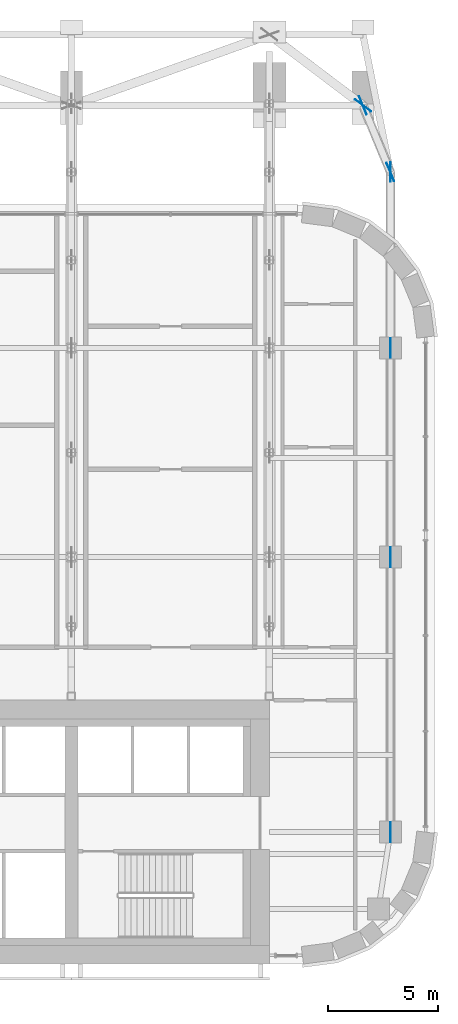
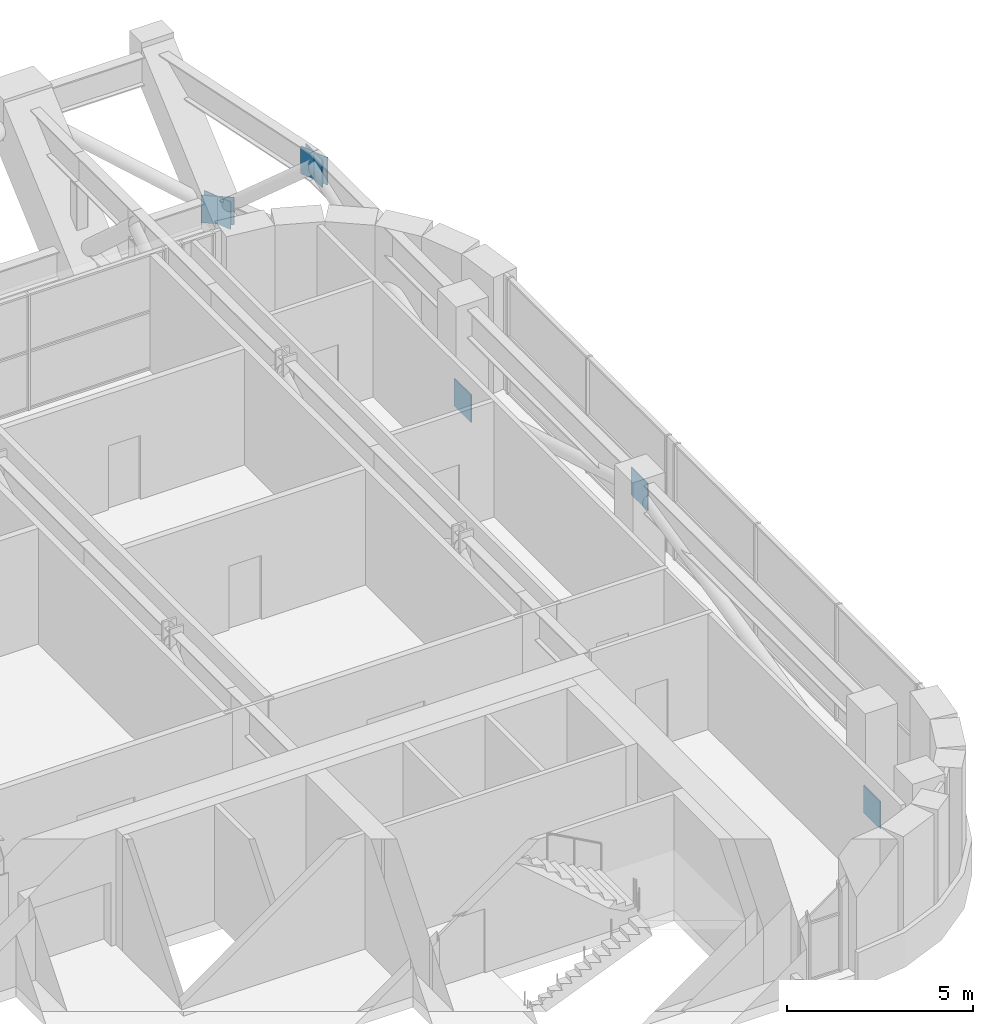
# One storey, part 17 of 23: 7 discrete accessories.
"""IFC4 building model written with IfcOpenShell, lengths in metres."""

import ifcopenshell
import ifcopenshell.guid

model = None  # the IFC model being written
_history = None  # IfcOwnerHistory: only IFC2X3 demands one
_inside = {}  # id of a spatial element -> (the spatial element, [elements in it])
_under = {}  # id of a project, library or spatial element -> (it, [spatial elements below it])
_declared = {}  # id of a project -> (the project, [libraries it declares])
_typed = {}  # id of a type object -> (the type object, [elements of that type])
_made_of = {}  # id of a material, layer set ... -> (it, [elements and type objects made of it])


def new_model(schema):
    """Start an empty IFC model of exactly this schema.

    Asked for "IFC4X3", IfcOpenShell would pick the latest addendum, in which some entities
    have other attributes; the version numbers below select the first issue.
    IFC2X3 requires an IfcOwnerHistory on every rooted entity: one is made here for all.
    """
    global model, _history
    if schema == "IFC4X3":
        model = ifcopenshell.file(schema_version=(4, 3, 0, 0))
    else:
        model = ifcopenshell.file(schema=schema)
    _inside.clear()
    _under.clear()
    _declared.clear()
    _typed.clear()
    _made_of.clear()
    _history = None
    if model.schema == "IFC2X3":
        org = make("IfcOrganization", Name="unknown")
        user = make(
            "IfcPersonAndOrganization",
            ThePerson=make("IfcPerson", FamilyName="unknown"),
            TheOrganization=org,
        )
        app = make(
            "IfcApplication",
            ApplicationDeveloper=org,
            Version="unknown",
            ApplicationFullName="unknown",
            ApplicationIdentifier="unknown",
        )
        _history = make(
            "IfcOwnerHistory",
            OwningUser=user,
            OwningApplication=app,
            ChangeAction="ADDED",
            CreationDate=0,
        )
    return model


def make(cls, **values):
    """One entity of the class cls with the attributes given. An attribute that is None is left unset."""
    return model.create_entity(
        cls, **{name: value for name, value in values.items() if value is not None}
    )


def rooted(cls, **values):
    """An entity with a GlobalId (a new one), such as an element, a storey or a relation."""
    return make(cls, GlobalId=ifcopenshell.guid.new(), OwnerHistory=_history, **values)


def si_unit(unit_type, name, prefix=None):
    """IfcSIUnit, for example si_unit("LENGTHUNIT", "METRE", prefix="MILLI")."""
    return make("IfcSIUnit", UnitType=unit_type, Prefix=prefix, Name=name)


def assignment(units):
    """IfcUnitAssignment: the units of a project."""
    return None if units is None else make("IfcUnitAssignment", Units=units)


def point(xyz):
    """IfcCartesianPoint."""
    return None if xyz is None else make("IfcCartesianPoint", Coordinates=xyz)


def direction(xyz):
    """IfcDirection."""
    return None if xyz is None else make("IfcDirection", DirectionRatios=xyz)


def frame(location, z_axis=None, x_axis=None):
    """IfcAxis2Placement3D, a coordinate frame: its origin and axes. An axis left out is left unset."""
    return make(
        "IfcAxis2Placement3D",
        Location=point(location),
        Axis=direction(z_axis),
        RefDirection=direction(x_axis),
    )


def frame_2d(location, x_axis=None):
    """IfcAxis2Placement2D, a coordinate frame in the plane: its origin and x axis."""
    return make(
        "IfcAxis2Placement2D", Location=point(location), RefDirection=direction(x_axis)
    )


def origin():
    """The frame at (0, 0, 0) with its axes left unset."""
    return frame((0.0, 0.0, 0.0))


def origin_2d():
    """The frame at (0, 0) in the plane with its x axis left unset."""
    return frame_2d((0.0, 0.0))


def place(relative_to, where):
    """IfcLocalPlacement: puts the frame where relative to a parent placement (None: the world)."""
    return make(
        "IfcLocalPlacement", PlacementRelTo=relative_to, RelativePlacement=where
    )


def context(
    kind, dimensions, precision=None, world=None, true_north=None, identifier=None
):
    """IfcGeometricRepresentationContext, for example the 3D "Model" context."""
    return make(
        "IfcGeometricRepresentationContext",
        ContextIdentifier=identifier,
        ContextType=kind,
        CoordinateSpaceDimension=dimensions,
        Precision=precision,
        WorldCoordinateSystem=world,
        TrueNorth=true_north,
    )


def subcontext(parent, identifier, kind, view, scale=None):
    """IfcGeometricRepresentationSubContext, for example "Body" below "Model"."""
    return make(
        "IfcGeometricRepresentationSubContext",
        ContextIdentifier=identifier,
        ContextType=kind,
        ParentContext=parent,
        TargetScale=scale,
        TargetView=view,
    )


def project(units=None, contexts=None):
    """IfcProject with its units and contexts."""
    return rooted(
        "IfcProject",
        Name="project",
        RepresentationContexts=contexts,
        UnitsInContext=assignment(units),
    )


def spatial(cls, under=None, at=None, **own):
    """A site, building, storey or space (cls), placed at a placement, below another one or the project."""
    s = rooted(cls, ObjectPlacement=at, **own)
    if under is not None:
        _under.setdefault(under.id(), (under, []))[1].append(s)
    return s


def profile(cls, at=None, kind="AREA", **sizes):
    """A parametric profile (cls). Its sizes go by their IFC names, for example OverallWidth=200.0."""
    return make(cls, ProfileType=kind, Position=at, **sizes)


def rectangle(**sizes):
    """IfcRectangleProfileDef."""
    return profile("IfcRectangleProfileDef", **sizes)


def extrude(swept, where, along, depth):
    """IfcExtrudedAreaSolid: the profile swept, set in the frame where, extruded along a direction by depth."""
    return make(
        "IfcExtrudedAreaSolid",
        SweptArea=swept,
        Position=where,
        ExtrudedDirection=direction(along),
        Depth=depth,
    )


def shape(context_of_items, identifier, shape_type, items):
    """IfcShapeRepresentation: the items that make up one representation, for example the "Body"."""
    return make(
        "IfcShapeRepresentation",
        ContextOfItems=context_of_items,
        RepresentationIdentifier=identifier,
        RepresentationType=shape_type,
        Items=items,
    )


def made_of(thing, what):
    """Note that an element or type object is made of a material, layer set ...; save() writes the relation."""
    if what is not None:
        _made_of.setdefault(what.id(), (what, []))[1].append(thing)
    return thing


def element(
    cls,
    number,
    at=None,
    inside=None,
    cuts=None,
    type_object=None,
    material=None,
    context=None,
    identifier="Body",
    shape_type=None,
    held_by="IfcProductDefinitionShape",
    body=None,
    shapes=None,
    **own,
):
    """One element of the class cls, such as IfcWall. Its Tag is "e" and its number.

    at: its placement. inside: the storey or other place that contains it. cuts: it is an
    opening in that element (IfcRelVoidsElement). A single representation is given by context,
    identifier, shape_type and body (its items); several are given by shapes. held_by: the class
    of the entity that holds the representations. save() writes the other relations.
    """
    e = rooted(cls, Tag="e%d" % number, ObjectPlacement=at, **own)
    if body is not None:
        shapes = [shape(context, identifier, shape_type, body)]
    if shapes is not None:
        e.Representation = make(held_by, Representations=shapes)
    if inside is not None:
        _inside.setdefault(inside.id(), (inside, []))[1].append(e)
    if cuts is not None:
        rooted(
            "IfcRelVoidsElement", RelatingBuildingElement=cuts, RelatedOpeningElement=e
        )
    if type_object is not None:
        _typed.setdefault(type_object.id(), (type_object, []))[1].append(e)
    return made_of(e, material)


def aggregate(whole, parts):
    """IfcRelAggregates: a whole, such as a stair, and the parts it consists of."""
    return rooted("IfcRelAggregates", RelatingObject=whole, RelatedObjects=parts)


def save(model, path):
    """Write the relations noted so far, then the file.

    IfcRelAggregates (storeys below a building ...), IfcRelContainedInSpatialStructure (elements
    in a storey), IfcRelDefinesByType, IfcRelAssociatesMaterial and IfcRelDeclares: one each for
    every whole, place, type object, material and project.
    """
    for whole, parts in _under.values():
        aggregate(whole, parts)
    for where, things in _inside.values():
        rooted(
            "IfcRelContainedInSpatialStructure",
            RelatedElements=things,
            RelatingStructure=where,
        )
    for kind, things in _typed.values():
        rooted("IfcRelDefinesByType", RelatedObjects=things, RelatingType=kind)
    for what, things in _made_of.values():
        rooted("IfcRelAssociatesMaterial", RelatedObjects=things, RelatingMaterial=what)
    for by, libraries in _declared.values():
        rooted("IfcRelDeclares", RelatingContext=by, RelatedDefinitions=libraries)
    model.write(path)


model = new_model("IFC4")

# Units and contexts
model_context = context("Model", 3, precision=1e-05, world=origin(), true_north=direction((0.0, 1.0)))
body_context = subcontext(model_context, "Body", "Model", "MODEL_VIEW")
ifc_project = project(units=[si_unit("LENGTHUNIT", "METRE"), si_unit("AREAUNIT", "SQUARE_METRE"), si_unit("VOLUMEUNIT", "CUBIC_METRE"), si_unit("PLANEANGLEUNIT", "RADIAN"), si_unit("MASSUNIT", "GRAM", prefix="KILO")], contexts=[model_context])

# Site, building, storey
site_placement = place(None, origin())
site = spatial("IfcSite", under=ifc_project, at=site_placement, CompositionType="ELEMENT")
building_placement = place(site_placement, origin())
building = spatial("IfcBuilding", under=site, at=building_placement, Name="Zellij Exchange Tower", CompositionType="ELEMENT")
storey_placement = place(building_placement, frame((0.0, 0.0, 160.5)))
storey = spatial("IfcBuildingStorey", under=building, at=storey_placement, Name="L36", CompositionType="ELEMENT", Elevation=160.5)

# Discrete accessories
for number, where, z_axis, x_axis, name in (
    (1, (32.5, -8.0, 0.021240234375), (0.0, 0.0, 1.0), (0.0, 1.0, 0.0), "Gusset plate"),
    (2, (32.5, 4.5, 2.87890625), (0.0, 0.0, 1.0), (0.0, 1.0, 0.0), "Gusset plate"),
    (3, (32.5, 14.0, 0.021240234375), (0.0, 0.0, 1.0), (0.0, 1.0, 0.0), "Gusset plate"),
    (4, (32.5, 22.0, 2.87890625), (0.0, 0.0, 1.0), (0.0, 1.0, 0.0), "Gusset plate"),
    (5, (32.5, 22.0, 2.87890625), (0.0, 0.0, 1.0), (-0.381352745088, 0.924429599166, 0.0), "Gusset plate"),
    (6, (31.25, 25.030029296875, 0.021240234375), (0.0, 0.0, 1.0), (-0.381352745088, 0.924429599166, 0.0), "Gusset plate"),
    (7, (31.25, 25.030029296875, 0.021240234375), (0.0, 0.0, 1.0), (0.797534444704, -0.603273411904, 0.0), "Gusset plate"),
):
    element("IfcDiscreteAccessory", number, at=place(storey_placement, frame(where, z_axis=z_axis, x_axis=x_axis)), inside=storey, Name=name, PredefinedType="BRACKET", context=body_context, shape_type="SweptSolid", body=[
        extrude(rectangle(XDim=0.89990234375, YDim=0.030029296875, at=origin_2d()), origin(), (0.0, 0.0, 1.0), 0.89990234375),
    ])

save(model, "model.ifc")
